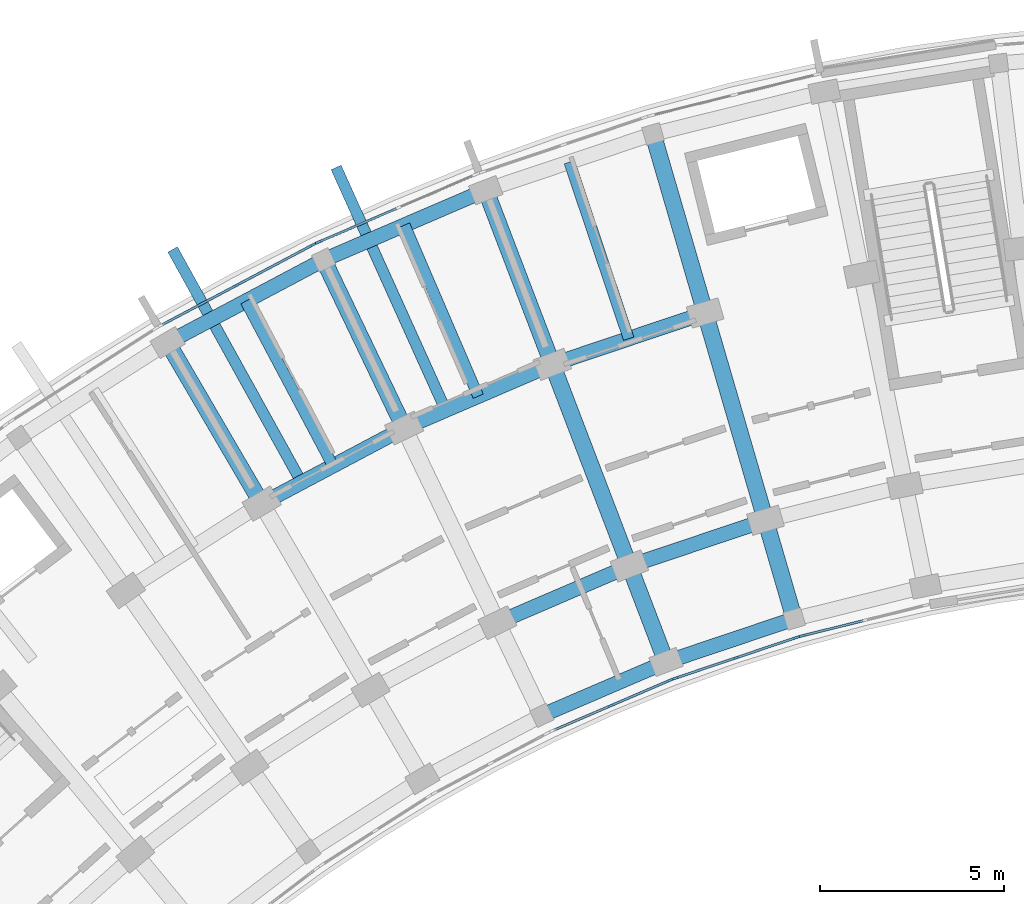
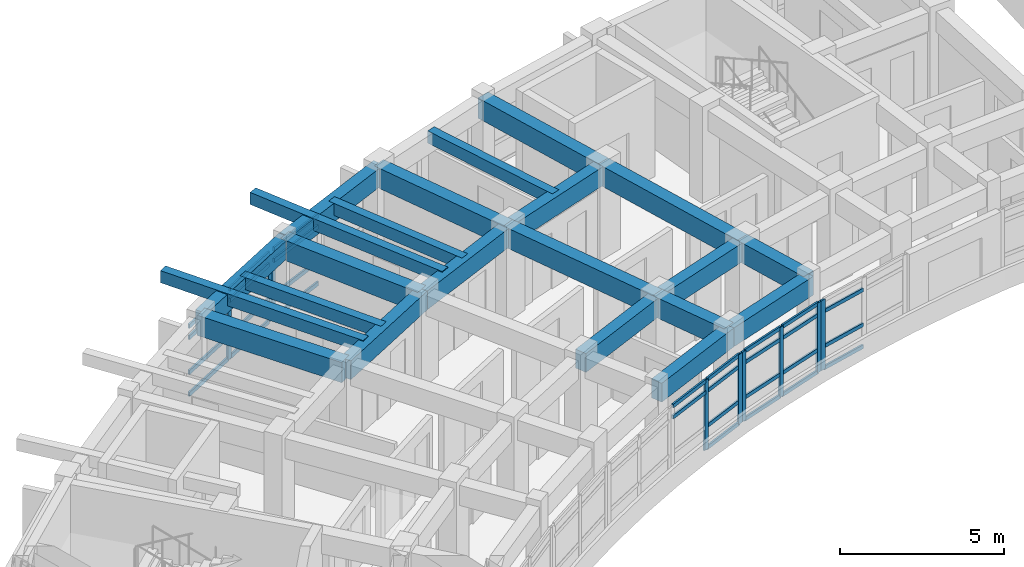
# One storey, part 24 of 83: 38 members, 22 beams, 5 elements without a shape of their own.
"""IFC4 building model written with IfcOpenShell, lengths in metres."""

from ifc_helpers import new_model, si_unit, direction, frame, origin, origin_2d, place, context, subcontext, project, spatial, rectangle, extrude, material, material_profile, profile_set, type_object, element, aggregate, save


model = new_model("IFC4")

# Units and contexts
model_context = context("Model", 3, precision=1e-05, world=origin(), true_north=direction((0.0, 1.0)))
body_context = subcontext(model_context, "Body", "Model", "MODEL_VIEW")
ifc_project = project(units=[si_unit("LENGTHUNIT", "METRE"), si_unit("AREAUNIT", "SQUARE_METRE"), si_unit("VOLUMEUNIT", "CUBIC_METRE"), si_unit("PLANEANGLEUNIT", "RADIAN"), si_unit("MASSUNIT", "GRAM", prefix="KILO")], contexts=[model_context])

# Site, building, storey
site_placement = place(None, origin())
site = spatial("IfcSite", under=ifc_project, at=site_placement, CompositionType="ELEMENT")
building_placement = place(site_placement, origin())
building = spatial("IfcBuilding", under=site, at=building_placement, Name="Zimvara Arc Housing Community", CompositionType="ELEMENT")
storey_placement = place(building_placement, frame((0.0, 0.0, 4.5)))
storey = spatial("IfcBuildingStorey", under=building, at=storey_placement, Name="L01", CompositionType="ELEMENT", Elevation=4.5)

# Beams
ifc_material_1 = material(Name="Concrete C40/50", Category="concrete")
ifc_material_profile_1 = material_profile(ifc_material_1, rectangle(XDim=0.300048828125, YDim=0.449951171875, at=origin_2d()), Name="RC 300x450")
ifc_profile_set_1 = profile_set([ifc_material_profile_1], Name="Concrete C40/50")
beam_type_1 = type_object("IfcBeamType", Name="BM-RC-300x450", PredefinedType="JOIST", material=ifc_profile_set_1)
beam_1_placement = place(storey_placement, frame((19.813232421875, 91.9892578125, 3.135009765625), z_axis=(-0.46853732736, 0.883443701019, 0.0), x_axis=(-0.883443701019, -0.46853732736, 0.0)))
element("IfcBeam", 1, at=beam_1_placement, inside=storey, type_object=beam_type_1, Name="bm:blkA:L01:joist:b4", PredefinedType="JOIST", context=body_context, shape_type="SweptSolid", body=[
    extrude(rectangle(XDim=0.300048828125, YDim=0.449951171875, at=origin_2d()), origin(), (0.0, 0.0, 1.0), 5.07568359375),
])
beam_2_placement = place(storey_placement, frame((23.77197265625, 93.885986328125, 3.135009765625), z_axis=(-0.394929109608, 0.918711596958, 0.0), x_axis=(-0.918711596958, -0.394929109608, 0.0)))
element("IfcBeam", 2, at=beam_2_placement, inside=storey, type_object=beam_type_1, Name="bm:blkA:L01:joist:b5", PredefinedType="JOIST", context=body_context, shape_type="SweptSolid", body=[
    extrude(rectangle(XDim=0.300048828125, YDim=0.449951171875, at=origin_2d()), origin(), (0.0, 0.0, 1.0), 5.075927734375),
])
beam_3_placement = place(storey_placement, frame((27.8720703125, 95.453369140625, 3.135009765625), z_axis=(-0.318607669836, 0.947886677152, 0.0), x_axis=(-0.947886677152, -0.318607669836, 0.0)))
element("IfcBeam", 3, at=beam_3_placement, inside=storey, type_object=beam_type_1, Name="bm:blkA:L01:joist:b6", PredefinedType="JOIST", context=body_context, shape_type="SweptSolid", body=[
    extrude(rectangle(XDim=0.300048828125, YDim=0.449951171875, at=origin_2d()), origin(), (0.0, 0.0, 1.0), 5.07568359375),
])
for number, where, z_axis, x_axis, name in (
    (4, (18.942138671875, 91.568359375, 3.1650390625), (-0.4843274379, 0.874886811477, 0.0), (-0.874886811477, -0.4843274379, 0.0), "bm:blkA:L01:cant_out:b4"),
    (5, (22.869384765625, 93.53759765625, 3.1650390625), (-0.411355676266, 0.91147490783, 0.0), (-0.91147490783, -0.411355676266, 0.0), "bm:blkA:L01:cant_out:b5"),
):
    element("IfcBeam", number, at=place(storey_placement, frame(where, z_axis=z_axis, x_axis=x_axis)), inside=storey, type_object=beam_type_1, Name=name, PredefinedType="JOIST", context=body_context, shape_type="SweptSolid", body=[
        extrude(rectangle(XDim=0.300048828125, YDim=0.449951171875, at=origin_2d()), origin(), (0.0, 0.0, 1.0), 7.219970703125),
    ])
ifc_material_2 = material(Name="Concrete C40/50", Category="concrete")
ifc_material_profile_2 = material_profile(ifc_material_2, rectangle(XDim=0.39990234375, YDim=0.699951171875, at=origin_2d()), Name="RC 400x700")
ifc_profile_set_2 = profile_set([ifc_material_profile_2], Name="Concrete C40/50")
beam_type_2 = type_object("IfcBeamType", Name="BM-RC-400x700", PredefinedType="BEAM", material=ifc_profile_set_2)
for number, where, z_axis, x_axis, name in (
    (6, (25.50439453125, 85.190673828125, 3.010009765625), (0.918705736243, 0.394942742932, 0.0), (-0.394942742932, 0.918705736243, 0.0), "bm:blkA:L01:chord:r0:b5"),
    (7, (28.88916015625, 86.645751953125, 3.010009765625), (0.94789181932, 0.31859237101, 0.0), (-0.31859237101, 0.94789181932, 0.0), "bm:blkA:L01:chord:r0:b6"),
):
    element("IfcBeam", number, at=place(storey_placement, frame(where, z_axis=z_axis, x_axis=x_axis)), inside=storey, type_object=beam_type_2, Name=name, PredefinedType="BEAM", context=body_context, shape_type="SweptSolid", body=[
        extrude(rectangle(XDim=0.39990234375, YDim=0.699951171875, at=origin_2d()), origin(), (0.0, 0.0, 1.0), 3.684326171875),
    ])
for number, where, z_axis, x_axis, name in (
    (8, (24.29443359375, 87.7158203125, 3.010009765625), (0.91873144242, 0.394882940514, 0.0), (-0.394882940514, 0.91873144242, 0.0), "bm:blkA:L01:chord:r1:b5"),
    (9, (27.889404296875, 89.260986328125, 3.010009765625), (0.947881689069, 0.31862250945, 0.0), (-0.31862250945, 0.947881689069, 0.0), "bm:blkA:L01:chord:r1:b6"),
):
    element("IfcBeam", number, at=place(storey_placement, frame(where, z_axis=z_axis, x_axis=x_axis)), inside=storey, type_object=beam_type_2, Name=name, PredefinedType="BEAM", context=body_context, shape_type="SweptSolid", body=[
        extrude(rectangle(XDim=0.39990234375, YDim=0.699951171875, at=origin_2d()), origin(), (0.0, 0.0, 1.0), 3.9130859375),
    ])
for number, where, z_axis, x_axis, name in (
    (10, (17.87255859375, 90.960205078125, 3.010009765625), (0.883456526058, 0.468513144496, 0.0), (-0.468513144496, 0.883456526058, 0.0), "bm:blkA:L01:chord:r2:b4"),
    (11, (21.75390625, 93.0185546875, 3.010009765625), (0.918724840088, 0.394898301093, 0.0), (-0.394898301093, 0.918724840088, 0.0), "bm:blkA:L01:chord:r2:b5"),
):
    element("IfcBeam", number, at=place(storey_placement, frame(where, z_axis=z_axis, x_axis=x_axis)), inside=storey, type_object=beam_type_2, Name=name, PredefinedType="BEAM", context=body_context, shape_type="SweptSolid", body=[
        extrude(rectangle(XDim=0.39990234375, YDim=0.699951171875, at=origin_2d()), origin(), (0.0, 0.0, 1.0), 4.393310546875),
    ])
beam_4_placement = place(storey_placement, frame((25.7900390625, 94.75341796875, 3.010009765625), z_axis=(0.947868796036, 0.318660862832, 0.0), x_axis=(-0.318660862832, 0.947868796036, 0.0)))
element("IfcBeam", 12, at=beam_4_placement, inside=storey, type_object=beam_type_2, Name="bm:blkA:L01:chord:r2:b6", PredefinedType="BEAM", context=body_context, shape_type="SweptSolid", body=[
    extrude(rectangle(XDim=0.39990234375, YDim=0.699951171875, at=origin_2d()), origin(), (0.0, 0.0, 1.0), 4.39306640625),
])
beam_5_placement = place(storey_placement, frame((15.311279296875, 95.34716796875, 3.010009765625), z_axis=(0.883445542299, 0.468533855546, 0.0), x_axis=(-0.468533855546, 0.883445542299, 0.0)))
element("IfcBeam", 13, at=beam_5_placement, inside=storey, type_object=beam_type_2, Name="bm:blkA:L01:chord:r3:b4", PredefinedType="BEAM", context=body_context, shape_type="SweptSolid", body=[
    extrude(rectangle(XDim=0.39990234375, YDim=0.699951171875, at=origin_2d()), origin(), (0.0, 0.0, 1.0), 4.807861328125),
])
beam_6_placement = place(storey_placement, frame((19.558837890625, 97.599853515625, 3.010009765625), z_axis=(0.918724276228, 0.394899612901, 0.0), x_axis=(-0.394899612901, 0.918724276228, 0.0)))
element("IfcBeam", 14, at=beam_6_placement, inside=storey, type_object=beam_type_2, Name="bm:blkA:L01:chord:r3:b5", PredefinedType="BEAM", context=body_context, shape_type="SweptSolid", body=[
    extrude(rectangle(XDim=0.39990234375, YDim=0.699951171875, at=origin_2d()), origin(), (0.0, 0.0, 1.0), 4.80810546875),
])
ifc_material_3 = material(Name="Concrete C40/50", Category="concrete")
ifc_material_profile_3 = material_profile(ifc_material_3, rectangle(XDim=0.449951171875, YDim=0.75, at=origin_2d()), Name="RC 450x750")
ifc_profile_set_3 = profile_set([ifc_material_profile_3], Name="Concrete C40/50")
beam_type_3 = type_object("IfcBeamType", Name="BM-RC-450x750", PredefinedType="BEAM", material=ifc_profile_set_3)
beam_7_placement = place(storey_placement, frame((17.87255859375, 90.960205078125, 2.985107421875), z_axis=(-0.504196701544, 0.863588840915, 0.0), x_axis=(-0.863588840915, -0.504196701544, 0.0)))
element("IfcBeam", 15, at=beam_7_placement, inside=storey, type_object=beam_type_3, Name="bm:blkA:L01:rad:b4:r23", PredefinedType="BEAM", context=body_context, shape_type="SweptSolid", body=[
    extrude(rectangle(XDim=0.449951171875, YDim=0.75, at=origin_2d()), origin(), (0.0, 0.0, 1.0), 5.079833984375),
])
beam_8_placement = place(storey_placement, frame((21.75390625, 93.0185546875, 2.985107421875), z_axis=(-0.432098194978, 0.901826563091, 0.0), x_axis=(-0.901826563091, -0.432098194978, 0.0)))
element("IfcBeam", 16, at=beam_8_placement, inside=storey, type_object=beam_type_3, Name="bm:blkA:L01:rad:b5:r23", PredefinedType="BEAM", context=body_context, shape_type="SweptSolid", body=[
    extrude(rectangle(XDim=0.449951171875, YDim=0.75, at=origin_2d()), origin(), (0.0, 0.0, 1.0), 5.080078125),
])
beam_9_placement = place(storey_placement, frame((28.88916015625, 86.645751953125, 2.985107421875), z_axis=(-0.357079289134, 0.934074076972, 0.0), x_axis=(-0.934074076972, -0.357079289134, 0.0)))
element("IfcBeam", 17, at=beam_9_placement, inside=storey, type_object=beam_type_3, Name="bm:blkA:L01:rad:b6:r01", PredefinedType="BEAM", context=body_context, shape_type="SweptSolid", body=[
    extrude(rectangle(XDim=0.449951171875, YDim=0.75, at=origin_2d()), origin(), (0.0, 0.0, 1.0), 2.7998046875),
])
beam_10_placement = place(storey_placement, frame((27.889404296875, 89.260986328125, 2.985107421875), z_axis=(-0.357036247742, 0.934090529766, 0.0), x_axis=(-0.934090529766, -0.357036247742, 0.0)))
element("IfcBeam", 18, at=beam_10_placement, inside=storey, type_object=beam_type_3, Name="bm:blkA:L01:rad:b6:r12", PredefinedType="BEAM", context=body_context, shape_type="SweptSolid", body=[
    extrude(rectangle(XDim=0.449951171875, YDim=0.75, at=origin_2d()), origin(), (0.0, 0.0, 1.0), 5.8798828125),
])
beam_11_placement = place(storey_placement, frame((25.7900390625, 94.75341796875, 2.985107421875), z_axis=(-0.357078271386, 0.934074466038, 0.0), x_axis=(-0.934074466038, -0.357078271386, 0.0)))
element("IfcBeam", 19, at=beam_11_placement, inside=storey, type_object=beam_type_3, Name="bm:blkA:L01:rad:b6:r23", PredefinedType="BEAM", context=body_context, shape_type="SweptSolid", body=[
    extrude(rectangle(XDim=0.449951171875, YDim=0.75, at=origin_2d()), origin(), (0.0, 0.0, 1.0), 5.080078125),
])
beam_12_placement = place(storey_placement, frame((32.381591796875, 87.819580078125, 2.985107421875), z_axis=(-0.279635015525, 0.960106378529, 0.0), x_axis=(-0.960106378529, -0.279635015525, 0.0)))
element("IfcBeam", 20, at=beam_12_placement, inside=storey, type_object=beam_type_3, Name="bm:blkA:L01:rad:b7:r01", PredefinedType="BEAM", context=body_context, shape_type="SweptSolid", body=[
    extrude(rectangle(XDim=0.449951171875, YDim=0.75, at=origin_2d()), origin(), (0.0, 0.0, 1.0), 2.800048828125),
])
beam_13_placement = place(storey_placement, frame((31.5986328125, 90.5078125, 2.985107421875), z_axis=(-0.27967473749, 0.960094808449, 0.0), x_axis=(-0.960094808449, -0.27967473749, 0.0)))
element("IfcBeam", 21, at=beam_13_placement, inside=storey, type_object=beam_type_3, Name="bm:blkA:L01:rad:b7:r12", PredefinedType="BEAM", context=body_context, shape_type="SweptSolid", body=[
    extrude(rectangle(XDim=0.449951171875, YDim=0.75, at=origin_2d()), origin(), (0.0, 0.0, 1.0), 5.880126953125),
])
beam_14_placement = place(storey_placement, frame((29.9541015625, 96.1533203125, 2.985107421875), z_axis=(-0.279662254096, 0.960098444762, 0.0), x_axis=(-0.960098444762, -0.279662254096, 0.0)))
element("IfcBeam", 22, at=beam_14_placement, inside=storey, type_object=beam_type_3, Name="bm:blkA:L01:rad:b7:r23", PredefinedType="BEAM", context=body_context, shape_type="SweptSolid", body=[
    extrude(rectangle(XDim=0.449951171875, YDim=0.75, at=origin_2d()), origin(), (0.0, 0.0, 1.0), 5.079833984375),
])

# Curtain wall, members
ifc_material_4 = material(Name="Anodised Aluminium AW-6063", Category="aluminium")
curtain_wall_type_1 = type_object("IfcCurtainWallType", Name="CW-SYS-02", PredefinedType="USERDEFINED", material=ifc_material_4)
curtain_wall_1_placement = place(storey_placement, origin())
curtain_wall_1 = element("IfcCurtainWall", 23, at=curtain_wall_1_placement, inside=storey, type_object=curtain_wall_type_1, Name="cw:blkA:L01:in:b5", ObjectType="CURTAIN WALL", PredefinedType="USERDEFINED")
ifc_material_5 = material(Name="Anodised Aluminium AW-6063", Category="aluminium")
ifc_material_profile_4 = material_profile(ifc_material_5, rectangle(XDim=0.06494140625, YDim=0.179931640625, at=origin_2d()), Name="ALU 65x180")
ifc_profile_set_4 = profile_set([ifc_material_profile_4], Name="Anodised Aluminium AW-6063")
member_type_1 = type_object("IfcMemberType", Name="CWM-65x150", PredefinedType="MULLION", material=ifc_profile_set_4)
member_1_placement = place(storey_placement, frame((27.39404296875, 85.459228515625, 0.0), z_axis=(0.0, 0.0, 1.0), x_axis=(-0.394904493375, 0.918722178415, 0.0)))
member_1 = element("IfcMember", 24, at=member_1_placement, type_object=member_type_1, Name="CW02 mullion 2", PredefinedType="MULLION", context=body_context, shape_type="SweptSolid", body=[
    extrude(rectangle(XDim=0.06494140625, YDim=0.179931640625, at=origin_2d()), origin(), (0.0, 0.0, 1.0), 2.60009765625),
])
member_2_placement = place(storey_placement, frame((28.98291015625, 86.14208984375, 0.0), z_axis=(0.0, 0.0, 1.0), x_axis=(-0.394904493375, 0.918722178415, 0.0)))
member_2 = element("IfcMember", 25, at=member_2_placement, type_object=member_type_1, Name="CW02 mullion 3", PredefinedType="MULLION", context=body_context, shape_type="SweptSolid", body=[
    extrude(rectangle(XDim=0.06494140625, YDim=0.179931640625, at=origin_2d()), origin(), (0.0, 0.0, 1.0), 2.60009765625),
])

ifc_material_6 = material(Name="Anodised Aluminium AW-6063", Category="aluminium")
curtain_wall_type_2 = type_object("IfcCurtainWallType", Name="CW-SYS-04", PredefinedType="USERDEFINED", material=ifc_material_6)
curtain_wall_2_placement = place(storey_placement, origin())
curtain_wall_2 = element("IfcCurtainWall", 26, at=curtain_wall_2_placement, inside=storey, type_object=curtain_wall_type_2, Name="cw:blkA:L01:in:b6", ObjectType="CURTAIN WALL", PredefinedType="USERDEFINED")
member_3_placement = place(storey_placement, frame((29.155517578125, 86.2080078125, 0.0), z_axis=(0.0, 0.0, 1.0), x_axis=(-0.318630249383, 0.94787908732, 0.0)))
member_3 = element("IfcMember", 27, at=member_3_placement, type_object=member_type_1, Name="CW04 mullion 1", PredefinedType="MULLION", context=body_context, shape_type="SweptSolid", body=[
    extrude(rectangle(XDim=0.06494140625, YDim=0.179931640625, at=origin_2d()), origin(), (0.0, 0.0, 1.0), 2.60009765625),
])
member_4_placement = place(storey_placement, frame((30.794677734375, 86.759033203125, 0.0), z_axis=(0.0, 0.0, 1.0), x_axis=(-0.318630249383, 0.94787908732, 0.0)))
member_4 = element("IfcMember", 28, at=member_4_placement, type_object=member_type_1, Name="CW04 mullion 2", PredefinedType="MULLION", context=body_context, shape_type="SweptSolid", body=[
    extrude(rectangle(XDim=0.06494140625, YDim=0.179931640625, at=origin_2d()), origin(), (0.0, 0.0, 1.0), 2.60009765625),
])
member_5_placement = place(storey_placement, frame((32.433837890625, 87.31005859375, 0.0), z_axis=(0.0, 0.0, 1.0), x_axis=(-0.318630249383, 0.94787908732, 0.0)))
member_5 = element("IfcMember", 29, at=member_5_placement, type_object=member_type_1, Name="CW04 mullion 3", PredefinedType="MULLION", context=body_context, shape_type="SweptSolid", body=[
    extrude(rectangle(XDim=0.06494140625, YDim=0.179931640625, at=origin_2d()), origin(), (0.0, 0.0, 1.0), 2.60009765625),
])

# Curtain wall, member
ifc_material_7 = material(Name="Anodised Aluminium AW-6063", Category="aluminium")
curtain_wall_type_3 = type_object("IfcCurtainWallType", Name="CW-SYS-06", PredefinedType="USERDEFINED", material=ifc_material_7)
curtain_wall_3_placement = place(storey_placement, origin())
curtain_wall_3 = element("IfcCurtainWall", 30, at=curtain_wall_3_placement, inside=storey, type_object=curtain_wall_type_3, Name="cw:blkA:L01:in:b7", ObjectType="CURTAIN WALL", PredefinedType="USERDEFINED")
member_6_placement = place(storey_placement, frame((32.611328125, 87.36181640625, 0.0), z_axis=(0.0, 0.0, 1.0), x_axis=(-0.240227815706, 0.970716537698, 0.0)))
member_6 = element("IfcMember", 31, at=member_6_placement, type_object=member_type_1, Name="CW06 mullion 1", PredefinedType="MULLION", context=body_context, shape_type="SweptSolid", body=[
    extrude(rectangle(XDim=0.06494140625, YDim=0.179931640625, at=origin_2d()), origin(), (0.0, 0.0, 1.0), 2.60009765625),
])

# Curtain wall, members
ifc_material_8 = material(Name="Anodised Aluminium AW-6063", Category="aluminium")
curtain_wall_type_4 = type_object("IfcCurtainWallType", Name="CW-SYS-07", PredefinedType="USERDEFINED", material=ifc_material_8)
curtain_wall_4_placement = place(storey_placement, origin())
curtain_wall_4 = element("IfcCurtainWall", 32, at=curtain_wall_4_placement, inside=storey, type_object=curtain_wall_type_4, Name="cw:blkA:L01:out:b4", ObjectType="CURTAIN WALL", PredefinedType="USERDEFINED")
ifc_material_9 = material(Name="Anodised Aluminium AW-6063", Category="aluminium")
ifc_material_profile_5 = material_profile(ifc_material_9, rectangle(XDim=0.06494140625, YDim=0.195068359375, at=origin_2d()), Name="ALU 65x195")
ifc_profile_set_5 = profile_set([ifc_material_profile_5], Name="Anodised Aluminium AW-6063")
member_type_2 = type_object("IfcMemberType", Name="CWM-65x180", PredefinedType="MULLION", material=ifc_profile_set_5)
member_7_placement = place(storey_placement, frame((17.200927734375, 96.914794921875, 0.0), z_axis=(0.0, 0.0, 1.0), x_axis=(-0.468546917761, 0.883438614651, 0.0)))
member_7 = element("IfcMember", 33, at=member_7_placement, type_object=member_type_2, Name="CW07 mullion 2", PredefinedType="MULLION", context=body_context, shape_type="SweptSolid", body=[
    extrude(rectangle(XDim=0.06494140625, YDim=0.195068359375, at=origin_2d()), origin(), (0.0, 0.0, 1.0), 2.60009765625),
])
member_8_placement = place(storey_placement, frame((19.260986328125, 98.007568359375, 0.0), z_axis=(0.0, 0.0, 1.0), x_axis=(-0.468546917761, 0.883438614651, 0.0)))
member_8 = element("IfcMember", 34, at=member_8_placement, type_object=member_type_2, Name="CW07 mullion 3", PredefinedType="MULLION", context=body_context, shape_type="SweptSolid", body=[
    extrude(rectangle(XDim=0.06494140625, YDim=0.195068359375, at=origin_2d()), origin(), (0.0, 0.0, 1.0), 2.60009765625),
])

# Curtain wall, member
ifc_material_10 = material(Name="Anodised Aluminium AW-6063", Category="aluminium")
curtain_wall_type_5 = type_object("IfcCurtainWallType", Name="CW-SYS-01", PredefinedType="USERDEFINED", material=ifc_material_10)
curtain_wall_5_placement = place(storey_placement, origin())
curtain_wall_5 = element("IfcCurtainWall", 35, at=curtain_wall_5_placement, inside=storey, type_object=curtain_wall_type_5, Name="cw:blkA:L01:out:b5", ObjectType="CURTAIN WALL", PredefinedType="USERDEFINED")
member_9_placement = place(storey_placement, frame((19.427734375, 98.08740234375, 0.0), z_axis=(0.0, 0.0, 1.0), x_axis=(-0.394904211998, 0.918722299363, 0.0)))
member_9 = element("IfcMember", 36, at=member_9_placement, type_object=member_type_2, Name="CW01 mullion 1", PredefinedType="MULLION", context=body_context, shape_type="SweptSolid", body=[
    extrude(rectangle(XDim=0.06494140625, YDim=0.195068359375, at=origin_2d()), origin(), (0.0, 0.0, 1.0), 2.60009765625),
])

# Member
ifc_material_11 = material(Name="Anodised Aluminium AW-6063", Category="aluminium")
ifc_material_profile_6 = material_profile(ifc_material_11, rectangle(XDim=0.06494140625, YDim=0.139892578125, at=origin_2d()), Name="ALU 65x140")
ifc_profile_set_6 = profile_set([ifc_material_profile_6], Name="Anodised Aluminium AW-6063")
member_type_3 = type_object("IfcMemberType", Name="CWT-65x120", PredefinedType="USERDEFINED", material=ifc_profile_set_6)
member_10_placement = place(storey_placement, frame((25.835205078125, 84.7890625, 2.14990234375), z_axis=(0.918727202972, 0.394892803832, 0.0), x_axis=(-0.394892803832, 0.918727202972, 0.0)))
member_10 = element("IfcMember", 37, at=member_10_placement, type_object=member_type_3, Name="CW02 transom 1.3", ObjectType="TRANSOM", PredefinedType="USERDEFINED", context=body_context, shape_type="SweptSolid", body=[
    extrude(rectangle(XDim=0.06494140625, YDim=0.139892578125, at=origin_2d()), origin(), (0.0, 0.0, 1.0), 1.664306640625),
])

member_11_placement = place(storey_placement, frame((25.835205078125, 84.7890625, 2.5673828125), z_axis=(0.918727202972, 0.394892803832, 0.0), x_axis=(-0.394892803832, 0.918727202972, 0.0)))
member_11 = element("IfcMember", 38, at=member_11_placement, type_object=member_type_3, Name="CW02 transom 1.4", ObjectType="TRANSOM", PredefinedType="USERDEFINED", context=body_context, shape_type="SweptSolid", body=[
    extrude(rectangle(XDim=0.06494140625, YDim=0.139892578125, at=origin_2d()), origin(), (0.0, 0.0, 1.0), 1.664306640625),
])

member_12_placement = place(storey_placement, frame((27.423828125, 85.471923828125, 0.032470703125), z_axis=(0.918673978315, 0.395016609229, 0.0), x_axis=(-0.395016609229, 0.918673978315, 0.0)))
member_12 = element("IfcMember", 39, at=member_12_placement, type_object=member_type_3, Name="CW02 transom 2.1", ObjectType="TRANSOM", PredefinedType="USERDEFINED", context=body_context, shape_type="SweptSolid", body=[
    extrude(rectangle(XDim=0.06494140625, YDim=0.139892578125, at=origin_2d()), origin(), (0.0, 0.0, 1.0), 1.664306640625),
])

member_13_placement = place(storey_placement, frame((27.423828125, 85.471923828125, 0.85009765625), z_axis=(0.918673978315, 0.395016609229, 0.0), x_axis=(-0.395016609229, 0.918673978315, 0.0)))
member_13 = element("IfcMember", 40, at=member_13_placement, type_object=member_type_3, Name="CW02 transom 2.2", ObjectType="TRANSOM", PredefinedType="USERDEFINED", context=body_context, shape_type="SweptSolid", body=[
    extrude(rectangle(XDim=0.06494140625, YDim=0.139892578125, at=origin_2d()), origin(), (0.0, 0.0, 1.0), 1.664306640625),
])

member_14_placement = place(storey_placement, frame((27.423828125, 85.471923828125, 2.14990234375), z_axis=(0.918673978315, 0.395016609229, 0.0), x_axis=(-0.395016609229, 0.918673978315, 0.0)))
member_14 = element("IfcMember", 41, at=member_14_placement, type_object=member_type_3, Name="CW02 transom 2.3", ObjectType="TRANSOM", PredefinedType="USERDEFINED", context=body_context, shape_type="SweptSolid", body=[
    extrude(rectangle(XDim=0.06494140625, YDim=0.139892578125, at=origin_2d()), origin(), (0.0, 0.0, 1.0), 1.664306640625),
])

member_15_placement = place(storey_placement, frame((27.423828125, 85.471923828125, 2.5673828125), z_axis=(0.918673978315, 0.395016609229, 0.0), x_axis=(-0.395016609229, 0.918673978315, 0.0)))
member_15 = element("IfcMember", 42, at=member_15_placement, type_object=member_type_3, Name="CW02 transom 2.4", ObjectType="TRANSOM", PredefinedType="USERDEFINED", context=body_context, shape_type="SweptSolid", body=[
    extrude(rectangle(XDim=0.06494140625, YDim=0.139892578125, at=origin_2d()), origin(), (0.0, 0.0, 1.0), 1.664306640625),
])

aggregate(curtain_wall_1, [member_1, member_2, member_10, member_11, member_12, member_13, member_14, member_15])

member_16_placement = place(storey_placement, frame((29.186279296875, 86.218505859375, 0.032470703125), z_axis=(0.947888214723, 0.318603095385, 0.0), x_axis=(-0.318603095385, 0.947888214723, 0.0)))
member_16 = element("IfcMember", 43, at=member_16_placement, type_object=member_type_3, Name="CW04 transom 1.1", ObjectType="TRANSOM", PredefinedType="USERDEFINED", context=body_context, shape_type="SweptSolid", body=[
    extrude(rectangle(XDim=0.06494140625, YDim=0.139892578125, at=origin_2d()), origin(), (0.0, 0.0, 1.0), 1.664306640625),
])

member_17_placement = place(storey_placement, frame((29.186279296875, 86.218505859375, 0.85009765625), z_axis=(0.947888214723, 0.318603095385, 0.0), x_axis=(-0.318603095385, 0.947888214723, 0.0)))
member_17 = element("IfcMember", 44, at=member_17_placement, type_object=member_type_3, Name="CW04 transom 1.2", ObjectType="TRANSOM", PredefinedType="USERDEFINED", context=body_context, shape_type="SweptSolid", body=[
    extrude(rectangle(XDim=0.06494140625, YDim=0.139892578125, at=origin_2d()), origin(), (0.0, 0.0, 1.0), 1.664306640625),
])

member_18_placement = place(storey_placement, frame((29.186279296875, 86.218505859375, 2.14990234375), z_axis=(0.947888214723, 0.318603095385, 0.0), x_axis=(-0.318603095385, 0.947888214723, 0.0)))
member_18 = element("IfcMember", 45, at=member_18_placement, type_object=member_type_3, Name="CW04 transom 1.3", ObjectType="TRANSOM", PredefinedType="USERDEFINED", context=body_context, shape_type="SweptSolid", body=[
    extrude(rectangle(XDim=0.06494140625, YDim=0.139892578125, at=origin_2d()), origin(), (0.0, 0.0, 1.0), 1.664306640625),
])

member_19_placement = place(storey_placement, frame((29.186279296875, 86.218505859375, 2.5673828125), z_axis=(0.947888214723, 0.318603095385, 0.0), x_axis=(-0.318603095385, 0.947888214723, 0.0)))
member_19 = element("IfcMember", 46, at=member_19_placement, type_object=member_type_3, Name="CW04 transom 1.4", ObjectType="TRANSOM", PredefinedType="USERDEFINED", context=body_context, shape_type="SweptSolid", body=[
    extrude(rectangle(XDim=0.06494140625, YDim=0.139892578125, at=origin_2d()), origin(), (0.0, 0.0, 1.0), 1.664306640625),
])

member_20_placement = place(storey_placement, frame((30.825439453125, 86.76953125, 0.032470703125), z_axis=(0.947888214723, 0.318603095385, 0.0), x_axis=(-0.318603095385, 0.947888214723, 0.0)))
member_20 = element("IfcMember", 47, at=member_20_placement, type_object=member_type_3, Name="CW04 transom 2.1", ObjectType="TRANSOM", PredefinedType="USERDEFINED", context=body_context, shape_type="SweptSolid", body=[
    extrude(rectangle(XDim=0.06494140625, YDim=0.139892578125, at=origin_2d()), origin(), (0.0, 0.0, 1.0), 1.664306640625),
])

member_21_placement = place(storey_placement, frame((30.825439453125, 86.76953125, 0.85009765625), z_axis=(0.947888214723, 0.318603095385, 0.0), x_axis=(-0.318603095385, 0.947888214723, 0.0)))
member_21 = element("IfcMember", 48, at=member_21_placement, type_object=member_type_3, Name="CW04 transom 2.2", ObjectType="TRANSOM", PredefinedType="USERDEFINED", context=body_context, shape_type="SweptSolid", body=[
    extrude(rectangle(XDim=0.06494140625, YDim=0.139892578125, at=origin_2d()), origin(), (0.0, 0.0, 1.0), 1.664306640625),
])

member_22_placement = place(storey_placement, frame((30.825439453125, 86.76953125, 2.14990234375), z_axis=(0.947888214723, 0.318603095385, 0.0), x_axis=(-0.318603095385, 0.947888214723, 0.0)))
member_22 = element("IfcMember", 49, at=member_22_placement, type_object=member_type_3, Name="CW04 transom 2.3", ObjectType="TRANSOM", PredefinedType="USERDEFINED", context=body_context, shape_type="SweptSolid", body=[
    extrude(rectangle(XDim=0.06494140625, YDim=0.139892578125, at=origin_2d()), origin(), (0.0, 0.0, 1.0), 1.664306640625),
])

member_23_placement = place(storey_placement, frame((30.825439453125, 86.76953125, 2.5673828125), z_axis=(0.947888214723, 0.318603095385, 0.0), x_axis=(-0.318603095385, 0.947888214723, 0.0)))
member_23 = element("IfcMember", 50, at=member_23_placement, type_object=member_type_3, Name="CW04 transom 2.4", ObjectType="TRANSOM", PredefinedType="USERDEFINED", context=body_context, shape_type="SweptSolid", body=[
    extrude(rectangle(XDim=0.06494140625, YDim=0.139892578125, at=origin_2d()), origin(), (0.0, 0.0, 1.0), 1.664306640625),
])

aggregate(curtain_wall_2, [member_3, member_4, member_5, member_16, member_17, member_18, member_19, member_20, member_21, member_22, member_23])

member_24_placement = place(storey_placement, frame((32.642822265625, 87.36962890625, 0.032470703125), z_axis=(0.970700809973, 0.24029135964, 0.0), x_axis=(-0.24029135964, 0.970700809973, 0.0)))
member_24 = element("IfcMember", 51, at=member_24_placement, type_object=member_type_3, Name="CW06 transom 1.1", ObjectType="TRANSOM", PredefinedType="USERDEFINED", context=body_context, shape_type="SweptSolid", body=[
    extrude(rectangle(XDim=0.06494140625, YDim=0.139892578125, at=origin_2d()), origin(), (0.0, 0.0, 1.0), 1.664306640625),
])

member_25_placement = place(storey_placement, frame((32.642822265625, 87.36962890625, 0.85009765625), z_axis=(0.970700809973, 0.24029135964, 0.0), x_axis=(-0.24029135964, 0.970700809973, 0.0)))
member_25 = element("IfcMember", 52, at=member_25_placement, type_object=member_type_3, Name="CW06 transom 1.2", ObjectType="TRANSOM", PredefinedType="USERDEFINED", context=body_context, shape_type="SweptSolid", body=[
    extrude(rectangle(XDim=0.06494140625, YDim=0.139892578125, at=origin_2d()), origin(), (0.0, 0.0, 1.0), 1.664306640625),
])

member_26_placement = place(storey_placement, frame((32.642822265625, 87.36962890625, 2.14990234375), z_axis=(0.970700809973, 0.24029135964, 0.0), x_axis=(-0.24029135964, 0.970700809973, 0.0)))
member_26 = element("IfcMember", 53, at=member_26_placement, type_object=member_type_3, Name="CW06 transom 1.3", ObjectType="TRANSOM", PredefinedType="USERDEFINED", context=body_context, shape_type="SweptSolid", body=[
    extrude(rectangle(XDim=0.06494140625, YDim=0.139892578125, at=origin_2d()), origin(), (0.0, 0.0, 1.0), 1.664306640625),
])

aggregate(curtain_wall_3, [member_6, member_24, member_25, member_26])

ifc_material_12 = material(Name="Anodised Aluminium AW-6063", Category="aluminium")
ifc_material_profile_7 = material_profile(ifc_material_12, rectangle(XDim=0.06494140625, YDim=0.155029296875, at=origin_2d()), Name="ALU 65x155")
ifc_profile_set_7 = profile_set([ifc_material_profile_7], Name="Anodised Aluminium AW-6063")
member_type_4 = type_object("IfcMemberType", Name="CWT-65x140", PredefinedType="USERDEFINED", material=ifc_profile_set_7)
member_27_placement = place(storey_placement, frame((15.16943359375, 95.83740234375, 0.032470703125), z_axis=(0.883420900208, 0.468580316568, 0.0), x_axis=(-0.468580316568, 0.883420900208, 0.0)))
member_27 = element("IfcMember", 54, at=member_27_placement, type_object=member_type_4, Name="CW07 transom 1.1", ObjectType="TRANSOM", PredefinedType="USERDEFINED", context=body_context, shape_type="SweptSolid", body=[
    extrude(rectangle(XDim=0.06494140625, YDim=0.155029296875, at=origin_2d()), origin(), (0.0, 0.0, 1.0), 2.266845703125),
])

member_28_placement = place(storey_placement, frame((15.16943359375, 95.83740234375, 0.85009765625), z_axis=(0.883420900208, 0.468580316568, 0.0), x_axis=(-0.468580316568, 0.883420900208, 0.0)))
member_28 = element("IfcMember", 55, at=member_28_placement, type_object=member_type_4, Name="CW07 transom 1.2", ObjectType="TRANSOM", PredefinedType="USERDEFINED", context=body_context, shape_type="SweptSolid", body=[
    extrude(rectangle(XDim=0.06494140625, YDim=0.155029296875, at=origin_2d()), origin(), (0.0, 0.0, 1.0), 2.266845703125),
])

member_29_placement = place(storey_placement, frame((15.16943359375, 95.83740234375, 2.14990234375), z_axis=(0.883420900208, 0.468580316568, 0.0), x_axis=(-0.468580316568, 0.883420900208, 0.0)))
member_29 = element("IfcMember", 56, at=member_29_placement, type_object=member_type_4, Name="CW07 transom 1.3", ObjectType="TRANSOM", PredefinedType="USERDEFINED", context=body_context, shape_type="SweptSolid", body=[
    extrude(rectangle(XDim=0.06494140625, YDim=0.155029296875, at=origin_2d()), origin(), (0.0, 0.0, 1.0), 2.266845703125),
])

member_30_placement = place(storey_placement, frame((15.16943359375, 95.83740234375, 2.5673828125), z_axis=(0.883420900208, 0.468580316568, 0.0), x_axis=(-0.468580316568, 0.883420900208, 0.0)))
member_30 = element("IfcMember", 57, at=member_30_placement, type_object=member_type_4, Name="CW07 transom 1.4", ObjectType="TRANSOM", PredefinedType="USERDEFINED", context=body_context, shape_type="SweptSolid", body=[
    extrude(rectangle(XDim=0.06494140625, YDim=0.155029296875, at=origin_2d()), origin(), (0.0, 0.0, 1.0), 2.266845703125),
])

member_31_placement = place(storey_placement, frame((17.2294921875, 96.93017578125, 0.032470703125), z_axis=(0.883489114766, 0.468451688107, 0.0), x_axis=(-0.468451688107, 0.883489114766, 0.0)))
member_31 = element("IfcMember", 58, at=member_31_placement, type_object=member_type_4, Name="CW07 transom 2.1", ObjectType="TRANSOM", PredefinedType="USERDEFINED", context=body_context, shape_type="SweptSolid", body=[
    extrude(rectangle(XDim=0.06494140625, YDim=0.155029296875, at=origin_2d()), origin(), (0.0, 0.0, 1.0), 2.26708984375),
])

member_32_placement = place(storey_placement, frame((17.2294921875, 96.93017578125, 0.85009765625), z_axis=(0.883489114766, 0.468451688107, 0.0), x_axis=(-0.468451688107, 0.883489114766, 0.0)))
member_32 = element("IfcMember", 59, at=member_32_placement, type_object=member_type_4, Name="CW07 transom 2.2", ObjectType="TRANSOM", PredefinedType="USERDEFINED", context=body_context, shape_type="SweptSolid", body=[
    extrude(rectangle(XDim=0.06494140625, YDim=0.155029296875, at=origin_2d()), origin(), (0.0, 0.0, 1.0), 2.26708984375),
])

member_33_placement = place(storey_placement, frame((17.2294921875, 96.93017578125, 2.14990234375), z_axis=(0.883489114766, 0.468451688107, 0.0), x_axis=(-0.468451688107, 0.883489114766, 0.0)))
member_33 = element("IfcMember", 60, at=member_33_placement, type_object=member_type_4, Name="CW07 transom 2.3", ObjectType="TRANSOM", PredefinedType="USERDEFINED", context=body_context, shape_type="SweptSolid", body=[
    extrude(rectangle(XDim=0.06494140625, YDim=0.155029296875, at=origin_2d()), origin(), (0.0, 0.0, 1.0), 2.26708984375),
])

member_34_placement = place(storey_placement, frame((17.2294921875, 96.93017578125, 2.5673828125), z_axis=(0.883489114766, 0.468451688107, 0.0), x_axis=(-0.468451688107, 0.883489114766, 0.0)))
member_34 = element("IfcMember", 61, at=member_34_placement, type_object=member_type_4, Name="CW07 transom 2.4", ObjectType="TRANSOM", PredefinedType="USERDEFINED", context=body_context, shape_type="SweptSolid", body=[
    extrude(rectangle(XDim=0.06494140625, YDim=0.155029296875, at=origin_2d()), origin(), (0.0, 0.0, 1.0), 2.26708984375),
])

aggregate(curtain_wall_4, [member_7, member_8, member_27, member_28, member_29, member_30, member_31, member_32, member_33, member_34])

member_35_placement = place(storey_placement, frame((19.45751953125, 98.10009765625, 0.032470703125), z_axis=(0.918721157939, 0.394906867444, 0.0), x_axis=(-0.394906867444, 0.918721157939, 0.0)))
member_35 = element("IfcMember", 62, at=member_35_placement, type_object=member_type_4, Name="CW01 transom 1.1", ObjectType="TRANSOM", PredefinedType="USERDEFINED", context=body_context, shape_type="SweptSolid", body=[
    extrude(rectangle(XDim=0.06494140625, YDim=0.155029296875, at=origin_2d()), origin(), (0.0, 0.0, 1.0), 2.26708984375),
])

member_36_placement = place(storey_placement, frame((19.45751953125, 98.10009765625, 0.85009765625), z_axis=(0.918721157939, 0.394906867444, 0.0), x_axis=(-0.394906867444, 0.918721157939, 0.0)))
member_36 = element("IfcMember", 63, at=member_36_placement, type_object=member_type_4, Name="CW01 transom 1.2", ObjectType="TRANSOM", PredefinedType="USERDEFINED", context=body_context, shape_type="SweptSolid", body=[
    extrude(rectangle(XDim=0.06494140625, YDim=0.155029296875, at=origin_2d()), origin(), (0.0, 0.0, 1.0), 2.26708984375),
])

member_37_placement = place(storey_placement, frame((19.45751953125, 98.10009765625, 2.14990234375), z_axis=(0.918721157939, 0.394906867444, 0.0), x_axis=(-0.394906867444, 0.918721157939, 0.0)))
member_37 = element("IfcMember", 64, at=member_37_placement, type_object=member_type_4, Name="CW01 transom 1.3", ObjectType="TRANSOM", PredefinedType="USERDEFINED", context=body_context, shape_type="SweptSolid", body=[
    extrude(rectangle(XDim=0.06494140625, YDim=0.155029296875, at=origin_2d()), origin(), (0.0, 0.0, 1.0), 2.26708984375),
])

member_38_placement = place(storey_placement, frame((19.45751953125, 98.10009765625, 2.5673828125), z_axis=(0.918721157939, 0.394906867444, 0.0), x_axis=(-0.394906867444, 0.918721157939, 0.0)))
member_38 = element("IfcMember", 65, at=member_38_placement, type_object=member_type_4, Name="CW01 transom 1.4", ObjectType="TRANSOM", PredefinedType="USERDEFINED", context=body_context, shape_type="SweptSolid", body=[
    extrude(rectangle(XDim=0.06494140625, YDim=0.155029296875, at=origin_2d()), origin(), (0.0, 0.0, 1.0), 2.26708984375),
])

aggregate(curtain_wall_5, [member_9, member_35, member_36, member_37, member_38])

save(model, "model.ifc")
